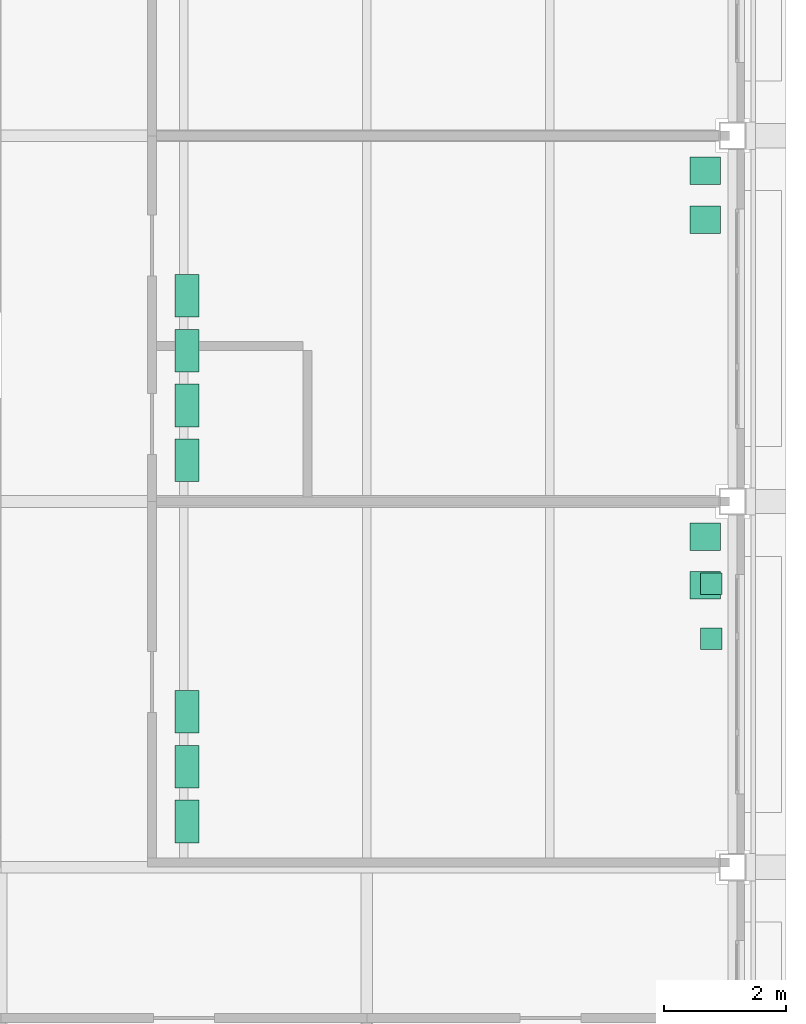
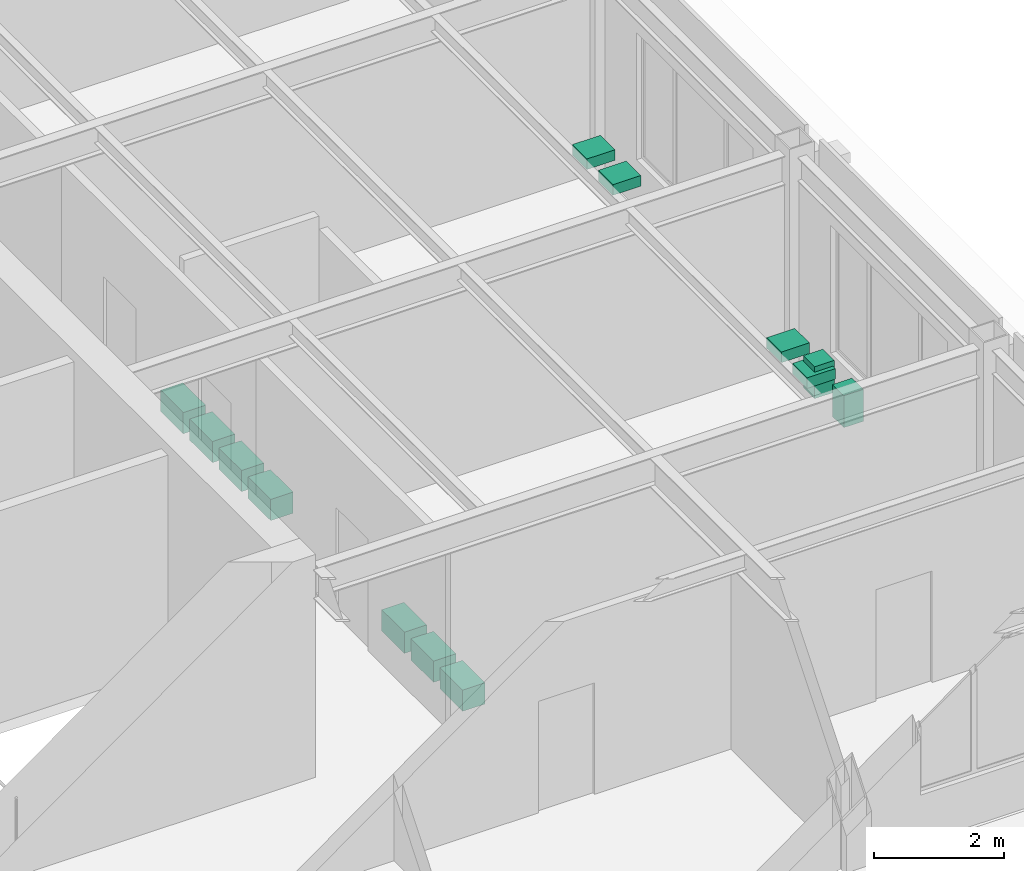
# One storey, part 82 of 82: 13 sanitary terminals.
"""IFC4 building model written with IfcOpenShell, lengths in metres."""

from ifc_helpers import new_model, si_unit, direction, frame, origin, origin_2d, place, context, subcontext, project, spatial, rectangle, extrude, material, type_object, element, save


model = new_model("IFC4")

# Units and contexts
model_context = context("Model", 3, precision=1e-05, world=origin(), true_north=direction((0.0, 1.0)))
body_context = subcontext(model_context, "Body", "Model", "MODEL_VIEW")
ifc_project = project(units=[si_unit("LENGTHUNIT", "METRE"), si_unit("AREAUNIT", "SQUARE_METRE"), si_unit("VOLUMEUNIT", "CUBIC_METRE"), si_unit("PLANEANGLEUNIT", "RADIAN"), si_unit("MASSUNIT", "GRAM", prefix="KILO")], contexts=[model_context])

# Site, building, storey
site_placement = place(None, origin())
site = spatial("IfcSite", under=ifc_project, at=site_placement, CompositionType="ELEMENT")
building_placement = place(site_placement, origin())
building = spatial("IfcBuilding", under=site, at=building_placement, Name="Aravalli Gate Trade Fair Centre", CompositionType="ELEMENT")
storey_placement = place(building_placement, frame((0.0, 0.0, 19.199951171875)))
storey = spatial("IfcBuildingStorey", under=building, at=storey_placement, Name="L04", CompositionType="ELEMENT", Elevation=19.199951171875)

# Sanitary terminals
ifc_material = material(Name="Vitreous china")
sanitary_terminal_type_1 = type_object("IfcSanitaryTerminalType", Name="Wing toilet pan", PredefinedType="TOILETPAN", material=ifc_material)
for number, where, z_axis, x_axis, name in (
    (1, (193.050048828125, 103.75, 0.0), (0.0, 0.0, 1.0), (1.0, 0.0, 0.0), "Wing toilet pan E1.wc1 L04"),
    (2, (193.050048828125, 104.64990234375, 0.0), (0.0, 0.0, 1.0), (1.0, 0.0, 0.0), "Wing toilet pan E1.wc2 L04"),
    (3, (193.050048828125, 105.550048828125, 0.0), (0.0, 0.0, 1.0), (1.0, 0.0, 0.0), "Wing toilet pan E1.wc3 L04"),
    (4, (193.050048828125, 109.675048828125, 0.0), (0.0, 0.0, 1.0), (1.0, 0.0, 0.0), "Wing toilet pan E2.wc1 L04"),
    (5, (193.050048828125, 110.574951171875, 0.0), (0.0, 0.0, 1.0), (1.0, 0.0, 0.0), "Wing toilet pan E2.wc2 L04"),
    (6, (193.050048828125, 111.47509765625, 0.0), (0.0, 0.0, 1.0), (1.0, 0.0, 0.0), "Wing toilet pan E2.wc3 L04"),
    (7, (193.050048828125, 112.375, 0.0), (0.0, 0.0, 1.0), (1.0, 0.0, 0.0), "Wing toilet pan E2.wc4 L04"),
):
    element("IfcSanitaryTerminal", number, at=place(storey_placement, frame(where, z_axis=z_axis, x_axis=x_axis)), inside=storey, type_object=sanitary_terminal_type_1, Name=name, PredefinedType="TOILETPAN", context=body_context, shape_type="SweptSolid", body=[
        extrude(rectangle(XDim=0.39990234375, YDim=0.699951171875, at=origin_2d()), origin(), (0.0, 0.0, 1.0), 0.39990234375),
    ])
sanitary_terminal_type_2 = type_object("IfcSanitaryTerminalType", Name="Wing urinal", PredefinedType="URINAL", material=ifc_material)
for number, where, z_axis, x_axis, name in (
    (8, (201.64990234375, 106.75, 0.39990234375), (0.0, 0.0, 1.0), (1.0, 0.0, 0.0), "Wing urinal E1.ur1 L04"),
    (9, (201.64990234375, 107.64990234375, 0.39990234375), (0.0, 0.0, 1.0), (1.0, 0.0, 0.0), "Wing urinal E1.ur2 L04"),
):
    element("IfcSanitaryTerminal", number, at=place(storey_placement, frame(where, z_axis=z_axis, x_axis=x_axis)), inside=storey, type_object=sanitary_terminal_type_2, Name=name, PredefinedType="URINAL", context=body_context, shape_type="SweptSolid", body=[
        extrude(rectangle(XDim=0.35009765625, YDim=0.35009765625, at=origin_2d()), origin(), (0.0, 0.0, 1.0), 0.60009765625),
    ])
sanitary_terminal_type_3 = type_object("IfcSanitaryTerminalType", Name="Wing wash hand basin", PredefinedType="WASHHANDBASIN", material=ifc_material)
for number, where, z_axis, x_axis, name in (
    (10, (201.550048828125, 108.425048828125, 0.7001953125), (0.0, 0.0, 1.0), (1.0, 0.0, 0.0), "Wing wash hand basin E1.wb1 L04"),
    (11, (201.550048828125, 107.625, 0.7001953125), (0.0, 0.0, 1.0), (1.0, 0.0, 0.0), "Wing wash hand basin E1.wb2 L04"),
    (12, (201.550048828125, 114.425048828125, 0.7001953125), (0.0, 0.0, 1.0), (1.0, 0.0, 0.0), "Wing wash hand basin E2.wb1 L04"),
    (13, (201.550048828125, 113.625, 0.7001953125), (0.0, 0.0, 1.0), (1.0, 0.0, 0.0), "Wing wash hand basin E2.wb2 L04"),
):
    element("IfcSanitaryTerminal", number, at=place(storey_placement, frame(where, z_axis=z_axis, x_axis=x_axis)), inside=storey, type_object=sanitary_terminal_type_3, Name=name, PredefinedType="WASHHANDBASIN", context=body_context, shape_type="SweptSolid", body=[
        extrude(rectangle(XDim=0.5, YDim=0.449951171875, at=origin_2d()), origin(), (0.0, 0.0, 1.0), 0.199951171875),
    ])

save(model, "model.ifc")
